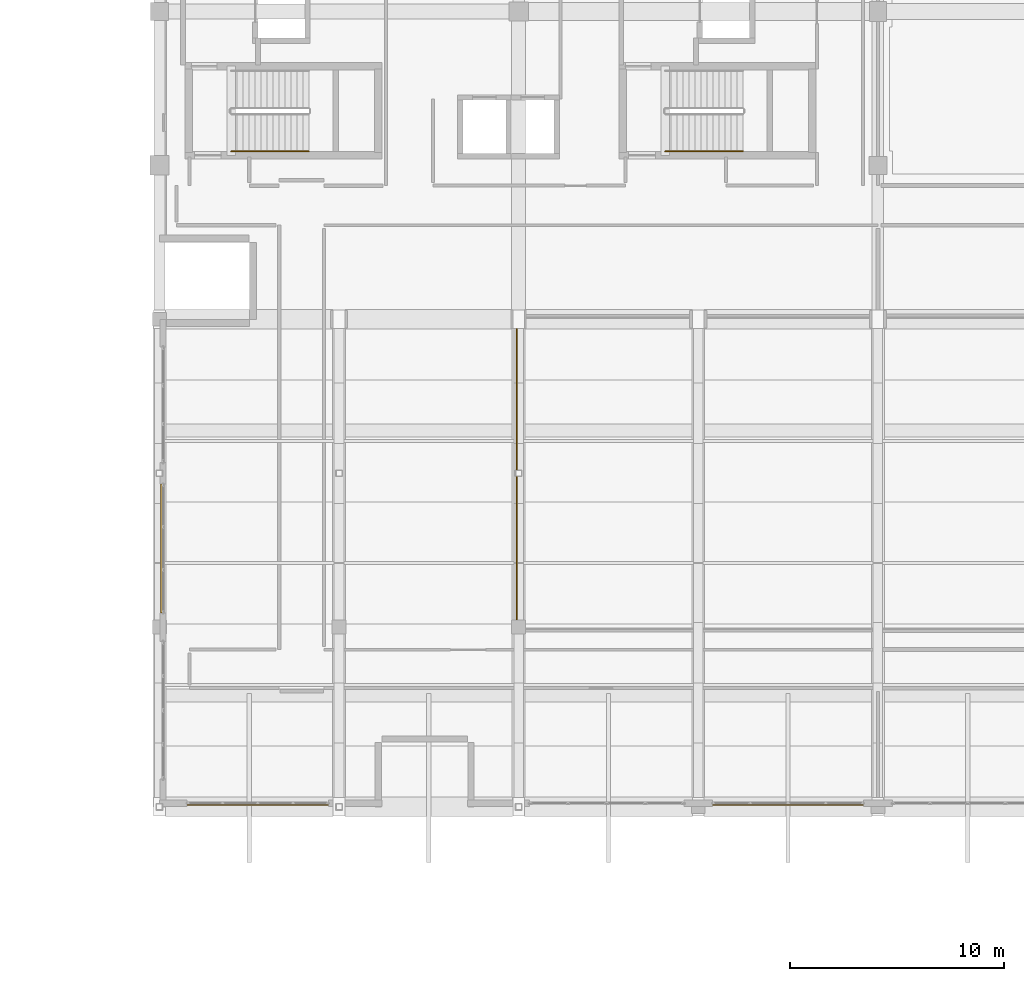
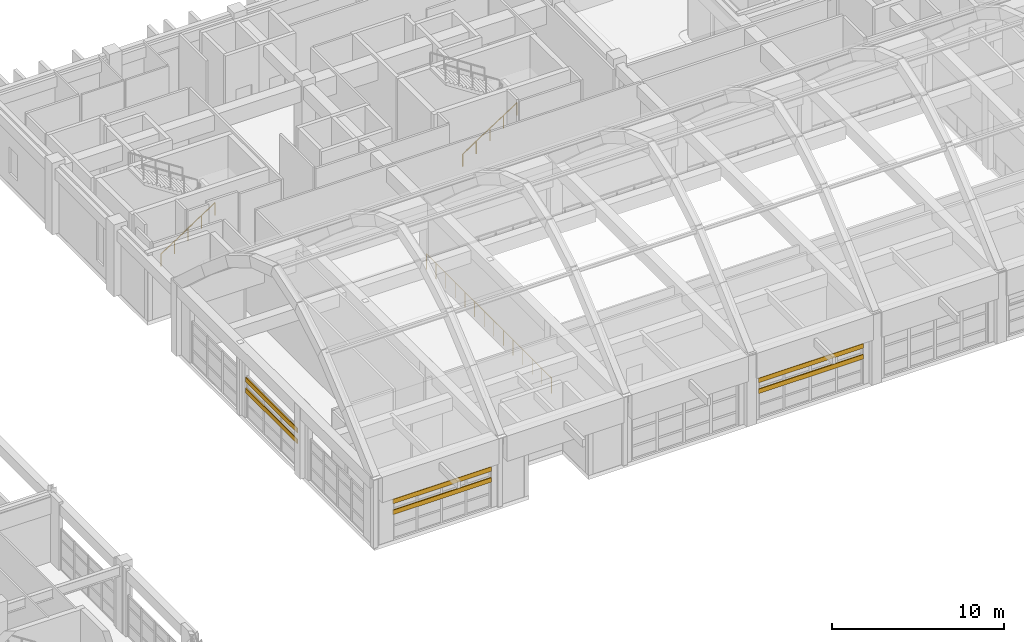
# One storey, part 97 of 103: 6 shading devices, 3 railings.
"""IFC4 building model written with IfcOpenShell, lengths in metres."""

import ifcopenshell
import ifcopenshell.guid

model = None  # the IFC model being written
_history = None  # IfcOwnerHistory: only IFC2X3 demands one
_inside = {}  # id of a spatial element -> (the spatial element, [elements in it])
_under = {}  # id of a project, library or spatial element -> (it, [spatial elements below it])
_declared = {}  # id of a project -> (the project, [libraries it declares])
_typed = {}  # id of a type object -> (the type object, [elements of that type])
_made_of = {}  # id of a material, layer set ... -> (it, [elements and type objects made of it])


def new_model(schema):
    """Start an empty IFC model of exactly this schema.

    Asked for "IFC4X3", IfcOpenShell would pick the latest addendum, in which some entities
    have other attributes; the version numbers below select the first issue.
    IFC2X3 requires an IfcOwnerHistory on every rooted entity: one is made here for all.
    """
    global model, _history
    if schema == "IFC4X3":
        model = ifcopenshell.file(schema_version=(4, 3, 0, 0))
    else:
        model = ifcopenshell.file(schema=schema)
    _inside.clear()
    _under.clear()
    _declared.clear()
    _typed.clear()
    _made_of.clear()
    _history = None
    if model.schema == "IFC2X3":
        org = make("IfcOrganization", Name="unknown")
        user = make(
            "IfcPersonAndOrganization",
            ThePerson=make("IfcPerson", FamilyName="unknown"),
            TheOrganization=org,
        )
        app = make(
            "IfcApplication",
            ApplicationDeveloper=org,
            Version="unknown",
            ApplicationFullName="unknown",
            ApplicationIdentifier="unknown",
        )
        _history = make(
            "IfcOwnerHistory",
            OwningUser=user,
            OwningApplication=app,
            ChangeAction="ADDED",
            CreationDate=0,
        )
    return model


def make(cls, **values):
    """One entity of the class cls with the attributes given. An attribute that is None is left unset."""
    return model.create_entity(
        cls, **{name: value for name, value in values.items() if value is not None}
    )


def rooted(cls, **values):
    """An entity with a GlobalId (a new one), such as an element, a storey or a relation."""
    return make(cls, GlobalId=ifcopenshell.guid.new(), OwnerHistory=_history, **values)


def si_unit(unit_type, name, prefix=None):
    """IfcSIUnit, for example si_unit("LENGTHUNIT", "METRE", prefix="MILLI")."""
    return make("IfcSIUnit", UnitType=unit_type, Prefix=prefix, Name=name)


def assignment(units):
    """IfcUnitAssignment: the units of a project."""
    return None if units is None else make("IfcUnitAssignment", Units=units)


def point(xyz):
    """IfcCartesianPoint."""
    return None if xyz is None else make("IfcCartesianPoint", Coordinates=xyz)


def direction(xyz):
    """IfcDirection."""
    return None if xyz is None else make("IfcDirection", DirectionRatios=xyz)


def frame(location, z_axis=None, x_axis=None):
    """IfcAxis2Placement3D, a coordinate frame: its origin and axes. An axis left out is left unset."""
    return make(
        "IfcAxis2Placement3D",
        Location=point(location),
        Axis=direction(z_axis),
        RefDirection=direction(x_axis),
    )


def frame_2d(location, x_axis=None):
    """IfcAxis2Placement2D, a coordinate frame in the plane: its origin and x axis."""
    return make(
        "IfcAxis2Placement2D", Location=point(location), RefDirection=direction(x_axis)
    )


def origin():
    """The frame at (0, 0, 0) with its axes left unset."""
    return frame((0.0, 0.0, 0.0))


def origin_2d():
    """The frame at (0, 0) in the plane with its x axis left unset."""
    return frame_2d((0.0, 0.0))


def place(relative_to, where):
    """IfcLocalPlacement: puts the frame where relative to a parent placement (None: the world)."""
    return make(
        "IfcLocalPlacement", PlacementRelTo=relative_to, RelativePlacement=where
    )


def context(
    kind, dimensions, precision=None, world=None, true_north=None, identifier=None
):
    """IfcGeometricRepresentationContext, for example the 3D "Model" context."""
    return make(
        "IfcGeometricRepresentationContext",
        ContextIdentifier=identifier,
        ContextType=kind,
        CoordinateSpaceDimension=dimensions,
        Precision=precision,
        WorldCoordinateSystem=world,
        TrueNorth=true_north,
    )


def subcontext(parent, identifier, kind, view, scale=None):
    """IfcGeometricRepresentationSubContext, for example "Body" below "Model"."""
    return make(
        "IfcGeometricRepresentationSubContext",
        ContextIdentifier=identifier,
        ContextType=kind,
        ParentContext=parent,
        TargetScale=scale,
        TargetView=view,
    )


def project(units=None, contexts=None):
    """IfcProject with its units and contexts."""
    return rooted(
        "IfcProject",
        Name="project",
        RepresentationContexts=contexts,
        UnitsInContext=assignment(units),
    )


def spatial(cls, under=None, at=None, **own):
    """A site, building, storey or space (cls), placed at a placement, below another one or the project."""
    s = rooted(cls, ObjectPlacement=at, **own)
    if under is not None:
        _under.setdefault(under.id(), (under, []))[1].append(s)
    return s


def profile(cls, at=None, kind="AREA", **sizes):
    """A parametric profile (cls). Its sizes go by their IFC names, for example OverallWidth=200.0."""
    return make(cls, ProfileType=kind, Position=at, **sizes)


def hollow_rectangle(**sizes):
    """IfcRectangleHollowProfileDef."""
    return profile("IfcRectangleHollowProfileDef", **sizes)


def circle(**sizes):
    """IfcCircleProfileDef."""
    return profile("IfcCircleProfileDef", **sizes)


def extrude(swept, where, along, depth):
    """IfcExtrudedAreaSolid: the profile swept, set in the frame where, extruded along a direction by depth."""
    return make(
        "IfcExtrudedAreaSolid",
        SweptArea=swept,
        Position=where,
        ExtrudedDirection=direction(along),
        Depth=depth,
    )


def shape(context_of_items, identifier, shape_type, items):
    """IfcShapeRepresentation: the items that make up one representation, for example the "Body"."""
    return make(
        "IfcShapeRepresentation",
        ContextOfItems=context_of_items,
        RepresentationIdentifier=identifier,
        RepresentationType=shape_type,
        Items=items,
    )


def material(Name=None, Category=None):
    """IfcMaterial."""
    return make("IfcMaterial", Name=Name, Category=Category)


def material_profile(
    of_material, cross_section, Name=None, Category=None, Priority=None
):
    """IfcMaterialProfile: a cross section and its material."""
    return make(
        "IfcMaterialProfile",
        Name=Name,
        Material=of_material,
        Profile=cross_section,
        Priority=Priority,
        Category=Category,
    )


def profile_set(profiles, Name=None, composite=None):
    """IfcMaterialProfileSet."""
    return make(
        "IfcMaterialProfileSet",
        Name=Name,
        MaterialProfiles=profiles,
        CompositeProfile=composite,
    )


def made_of(thing, what):
    """Note that an element or type object is made of a material, layer set ...; save() writes the relation."""
    if what is not None:
        _made_of.setdefault(what.id(), (what, []))[1].append(thing)
    return thing


def type_object(cls, material=None, **own):
    """A type object (cls), such as IfcWallType, which elements share."""
    return made_of(rooted(cls, **own), material)


def element(
    cls,
    number,
    at=None,
    inside=None,
    cuts=None,
    type_object=None,
    material=None,
    context=None,
    identifier="Body",
    shape_type=None,
    held_by="IfcProductDefinitionShape",
    body=None,
    shapes=None,
    **own,
):
    """One element of the class cls, such as IfcWall. Its Tag is "e" and its number.

    at: its placement. inside: the storey or other place that contains it. cuts: it is an
    opening in that element (IfcRelVoidsElement). A single representation is given by context,
    identifier, shape_type and body (its items); several are given by shapes. held_by: the class
    of the entity that holds the representations. save() writes the other relations.
    """
    e = rooted(cls, Tag="e%d" % number, ObjectPlacement=at, **own)
    if body is not None:
        shapes = [shape(context, identifier, shape_type, body)]
    if shapes is not None:
        e.Representation = make(held_by, Representations=shapes)
    if inside is not None:
        _inside.setdefault(inside.id(), (inside, []))[1].append(e)
    if cuts is not None:
        rooted(
            "IfcRelVoidsElement", RelatingBuildingElement=cuts, RelatedOpeningElement=e
        )
    if type_object is not None:
        _typed.setdefault(type_object.id(), (type_object, []))[1].append(e)
    return made_of(e, material)


def aggregate(whole, parts):
    """IfcRelAggregates: a whole, such as a stair, and the parts it consists of."""
    return rooted("IfcRelAggregates", RelatingObject=whole, RelatedObjects=parts)


def save(model, path):
    """Write the relations noted so far, then the file.

    IfcRelAggregates (storeys below a building ...), IfcRelContainedInSpatialStructure (elements
    in a storey), IfcRelDefinesByType, IfcRelAssociatesMaterial and IfcRelDeclares: one each for
    every whole, place, type object, material and project.
    """
    for whole, parts in _under.values():
        aggregate(whole, parts)
    for where, things in _inside.values():
        rooted(
            "IfcRelContainedInSpatialStructure",
            RelatedElements=things,
            RelatingStructure=where,
        )
    for kind, things in _typed.values():
        rooted("IfcRelDefinesByType", RelatedObjects=things, RelatingType=kind)
    for what, things in _made_of.values():
        rooted("IfcRelAssociatesMaterial", RelatedObjects=things, RelatingMaterial=what)
    for by, libraries in _declared.values():
        rooted("IfcRelDeclares", RelatingContext=by, RelatedDefinitions=libraries)
    model.write(path)


model = new_model("IFC4")

# Units and contexts
model_context = context("Model", 3, precision=1e-05, world=origin(), true_north=direction((0.0, 1.0)))
body_context = subcontext(model_context, "Body", "Model", "MODEL_VIEW")
ifc_project = project(units=[si_unit("LENGTHUNIT", "METRE"), si_unit("AREAUNIT", "SQUARE_METRE"), si_unit("VOLUMEUNIT", "CUBIC_METRE"), si_unit("PLANEANGLEUNIT", "RADIAN"), si_unit("MASSUNIT", "GRAM", prefix="KILO")], contexts=[model_context])

# Site, building, storey
site_placement = place(None, origin())
site = spatial("IfcSite", under=ifc_project, at=site_placement, CompositionType="ELEMENT")
building_placement = place(site_placement, origin())
building = spatial("IfcBuilding", under=site, at=building_placement, Name="Quendrovan Civic Courthouse", CompositionType="ELEMENT")
storey_placement = place(building_placement, frame((0.0, 0.0, 15.300048828125)))
storey = spatial("IfcBuildingStorey", under=building, at=storey_placement, Name="L04", CompositionType="ELEMENT", Elevation=15.300048828125)

# Railings
ifc_material = material(Name="Bronze anodised aluminium", Category="aluminium")
railing_type_1 = type_object("IfcRailingType", Name="RL-ATR-GUARD1100", PredefinedType="GUARDRAIL", material=ifc_material)
railing_1_placement = place(storey_placement, frame((50.320068359375, 87.679931640625, 0.0)))
element("IfcRailing", 1, at=railing_1_placement, inside=storey, type_object=railing_type_1, Name="L04 Atrium and Well Perimeter Guardrail 027", PredefinedType="GUARDRAIL", context=body_context, shape_type="SweptSolid", body=[
    extrude(circle(Radius=0.02392578125, at=origin_2d()), frame((0.0, 0.0, 1.09619140625), z_axis=(0.0, -1.0, 0.0), x_axis=(1.0, 0.0, 0.0)), (0.0, 0.0, 1.0), 14.559814453125),
    extrude(circle(Radius=0.02099609375, at=origin_2d()), origin(), (0.0, 0.0, 1.0), 1.072021484375),
    extrude(circle(Radius=0.02099609375, at=origin_2d()), frame((0.0, -1.119873046875, 0.0)), (0.0, 0.0, 1.0), 1.072021484375),
    extrude(circle(Radius=0.02099609375, at=origin_2d()), frame((0.0, -2.239990234375, 0.0)), (0.0, 0.0, 1.0), 1.072021484375),
    extrude(circle(Radius=0.02099609375, at=origin_2d()), frame((0.0, -3.35986328125, 0.0)), (0.0, 0.0, 1.0), 1.072021484375),
    extrude(circle(Radius=0.02099609375, at=origin_2d()), frame((0.0, -4.47998046875, 0.0)), (0.0, 0.0, 1.0), 1.072021484375),
    extrude(circle(Radius=0.02099609375, at=origin_2d()), frame((0.0, -5.599853515625, 0.0)), (0.0, 0.0, 1.0), 1.072021484375),
    extrude(circle(Radius=0.02099609375, at=origin_2d()), frame((0.0, -6.719970703125, 0.0)), (0.0, 0.0, 1.0), 1.072021484375),
    extrude(circle(Radius=0.02099609375, at=origin_2d()), frame((0.0, -7.83984375, 0.0)), (0.0, 0.0, 1.0), 1.072021484375),
    extrude(circle(Radius=0.02099609375, at=origin_2d()), frame((0.0, -8.9599609375, 0.0)), (0.0, 0.0, 1.0), 1.072021484375),
    extrude(circle(Radius=0.02099609375, at=origin_2d()), frame((0.0, -10.079833984375, 0.0)), (0.0, 0.0, 1.0), 1.072021484375),
    extrude(circle(Radius=0.02099609375, at=origin_2d()), frame((0.0, -11.199951171875, 0.0)), (0.0, 0.0, 1.0), 1.072021484375),
    extrude(circle(Radius=0.02099609375, at=origin_2d()), frame((0.0, -12.31982421875, 0.0)), (0.0, 0.0, 1.0), 1.072021484375),
    extrude(circle(Radius=0.02099609375, at=origin_2d()), frame((0.0, -13.43994140625, 0.0)), (0.0, 0.0, 1.0), 1.072021484375),
    extrude(circle(Radius=0.02099609375, at=origin_2d()), frame((0.0, -14.559814453125, 0.0)), (0.0, 0.0, 1.0), 1.072021484375),
])
railing_type_2 = type_object("IfcRailingType", Name="RL-STR-HAND900", PredefinedType="HANDRAIL", material=ifc_material)
railing_2_placement = place(storey_placement, frame((36.949951171875, 95.449951171875, 0.18212890625)))
element("IfcRailing", 2, at=railing_2_placement, inside=storey, type_object=railing_type_2, Name="L04 ST1 stair handrail 1", PredefinedType="HANDRAIL", context=body_context, shape_type="SweptSolid", body=[
    extrude(circle(Radius=0.02392578125, at=origin_2d()), frame((0.0, 0.0, 0.8759765625), z_axis=(0.83825089185, 0.0, 0.545284735081), x_axis=(0.0, 1.0, 0.0)), (0.0, 0.0, 1.0), 4.342529296875),
    extrude(circle(Radius=0.02099609375, at=origin_2d()), origin(), (0.0, 0.0, 1.0), 0.851806640625),
    extrude(circle(Radius=0.02099609375, at=origin_2d()), frame((0.91015625, 0.0, 0.592041015625)), (0.0, 0.0, 1.0), 0.851806640625),
    extrude(circle(Radius=0.02099609375, at=origin_2d()), frame((1.820068359375, 0.0, 1.18408203125)), (0.0, 0.0, 1.0), 0.851806640625),
    extrude(circle(Radius=0.02099609375, at=origin_2d()), frame((2.72998046875, 0.0, 1.77587890625)), (0.0, 0.0, 1.0), 0.851806640625),
    extrude(circle(Radius=0.02099609375, at=origin_2d()), frame((3.64013671875, 0.0, 2.367919921875)), (0.0, 0.0, 1.0), 0.851806640625),
])
railing_3_placement = place(storey_placement, frame((57.25, 95.449951171875, 0.18212890625)))
element("IfcRailing", 3, at=railing_3_placement, inside=storey, type_object=railing_type_2, Name="L04 ST2 stair handrail 1", PredefinedType="HANDRAIL", context=body_context, shape_type="SweptSolid", body=[
    extrude(circle(Radius=0.02392578125, at=origin_2d()), frame((0.0, 0.0, 0.8759765625), z_axis=(0.838234174257, 0.0, 0.545310433706), x_axis=(0.0, 1.0, 0.0)), (0.0, 0.0, 1.0), 4.34228515625),
    extrude(circle(Radius=0.02099609375, at=origin_2d()), origin(), (0.0, 0.0, 1.0), 0.851806640625),
    extrude(circle(Radius=0.02099609375, at=origin_2d()), frame((0.909912109375, 0.0, 0.592041015625)), (0.0, 0.0, 1.0), 0.851806640625),
    extrude(circle(Radius=0.02099609375, at=origin_2d()), frame((1.81982421875, 0.0, 1.18408203125)), (0.0, 0.0, 1.0), 0.851806640625),
    extrude(circle(Radius=0.02099609375, at=origin_2d()), frame((2.72998046875, 0.0, 1.77587890625)), (0.0, 0.0, 1.0), 0.851806640625),
    extrude(circle(Radius=0.02099609375, at=origin_2d()), frame((3.639892578125, 0.0, 2.367919921875)), (0.0, 0.0, 1.0), 0.851806640625),
])

# Shading devices
ifc_material_profile = material_profile(ifc_material, hollow_rectangle(XDim=0.06494140625, YDim=0.320068359375, WallThickness=0.0048828125, at=origin_2d()), Name="AL-LOUVRE-65x320")
ifc_profile_set = profile_set([ifc_material_profile], Name="Bronze anodised aluminium")
shading_device_type = type_object("IfcShadingDeviceType", Name="SHD-STORM-LOUVRE", PredefinedType="JALOUSIE", material=ifc_profile_set)
for number, where, z_axis, x_axis, name in (
    (4, (66.52490234375, 64.885009765625, 1.949951171875), (-1.0, 0.0, 0.0), (0.0, -1.0, 0.0), "L04 Bronze Hurricane Storm Louvre SLV-161"),
    (5, (66.52490234375, 64.885009765625, 2.719970703125), (-1.0, 0.0, 0.0), (0.0, -1.0, 0.0), "L04 Bronze Hurricane Storm Louvre SLV-162"),
):
    element("IfcShadingDevice", number, at=place(storey_placement, frame(where, z_axis=z_axis, x_axis=x_axis)), inside=storey, type_object=shading_device_type, Name=name, PredefinedType="JALOUSIE", context=body_context, shape_type="SweptSolid", body=[
        extrude(hollow_rectangle(XDim=0.06494140625, YDim=0.320068359375, WallThickness=0.0048828125, at=origin_2d()), origin(), (0.0, 0.0, 1.0), 7.0498046875),
    ])
for number, where, z_axis, x_axis, name in (
    (6, (41.5, 64.885009765625, 1.949951171875), (-1.0, 0.0, 0.0), (0.0, -1.0, 0.0), "L04 Bronze Hurricane Storm Louvre SLV-163"),
    (7, (41.5, 64.885009765625, 2.719970703125), (-1.0, 0.0, 0.0), (0.0, -1.0, 0.0), "L04 Bronze Hurricane Storm Louvre SLV-164"),
):
    element("IfcShadingDevice", number, at=place(storey_placement, frame(where, z_axis=z_axis, x_axis=x_axis)), inside=storey, type_object=shading_device_type, Name=name, PredefinedType="JALOUSIE", context=body_context, shape_type="SweptSolid", body=[
        extrude(hollow_rectangle(XDim=0.06494140625, YDim=0.320068359375, WallThickness=0.0048828125, at=origin_2d()), origin(), (0.0, 0.0, 1.0), 6.60009765625),
    ])
for number, where, z_axis, x_axis, name in (
    (8, (33.68505859375, 73.875, 1.949951171875), (0.0, 1.0, 0.0), (-1.0, 0.0, 0.0), "L04 Bronze Hurricane Storm Louvre SLV-165"),
    (9, (33.68505859375, 73.875, 2.719970703125), (0.0, 1.0, 0.0), (-1.0, 0.0, 0.0), "L04 Bronze Hurricane Storm Louvre SLV-166"),
):
    element("IfcShadingDevice", number, at=place(storey_placement, frame(where, z_axis=z_axis, x_axis=x_axis)), inside=storey, type_object=shading_device_type, Name=name, PredefinedType="JALOUSIE", context=body_context, shape_type="SweptSolid", body=[
        extrude(hollow_rectangle(XDim=0.06494140625, YDim=0.320068359375, WallThickness=0.0048828125, at=origin_2d()), origin(), (0.0, 0.0, 1.0), 6.02490234375),
    ])

save(model, "model.ifc")
